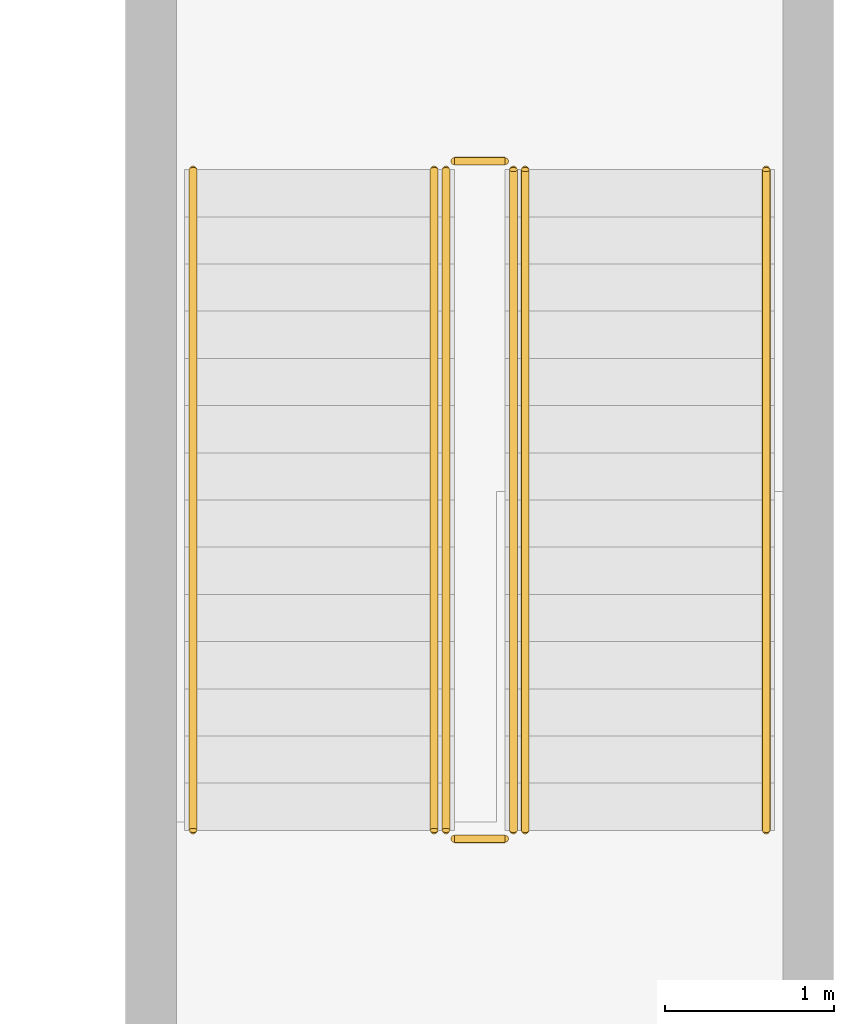
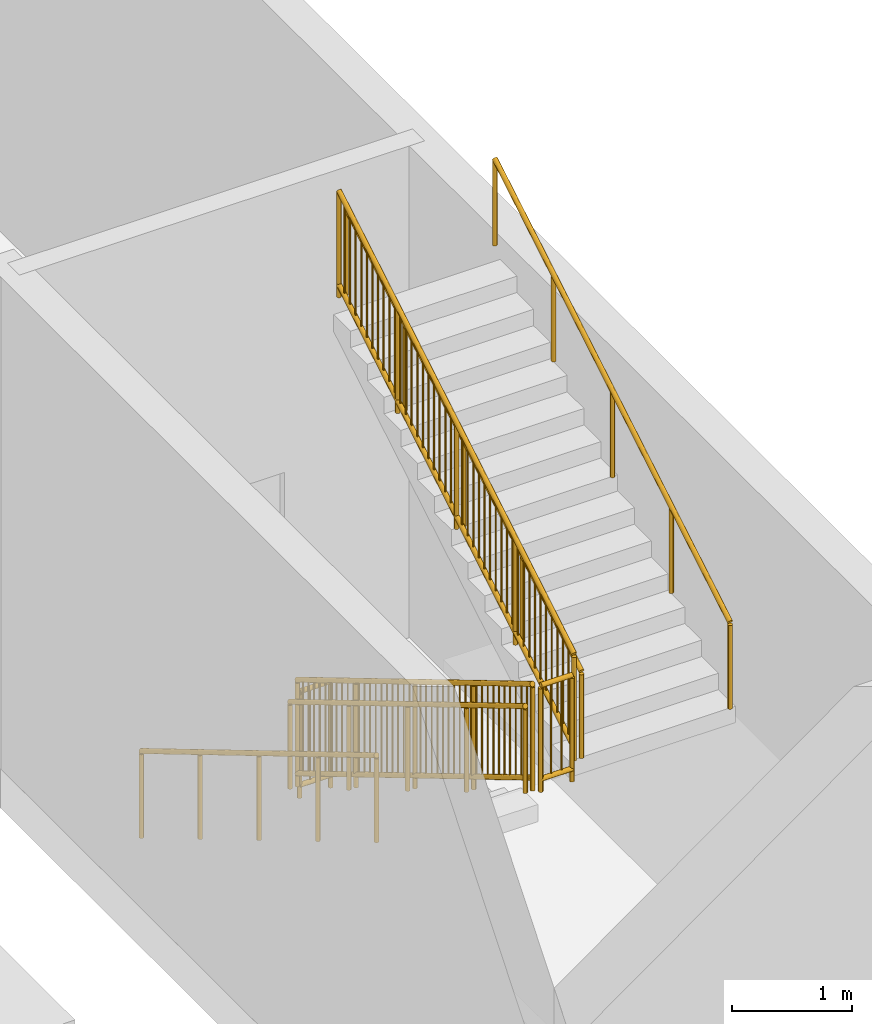
# One storey, part 23 of 25: 8 railings.
"""IFC4 building model written with IfcOpenShell, lengths in metres."""

from ifc_helpers import new_model, si_unit, direction, frame, origin, origin_2d, place, context, subcontext, project, spatial, circle, extrude, material, type_object, element, save


model = new_model("IFC4")

# Units and contexts
model_context = context("Model", 3, precision=1e-05, world=origin(), true_north=direction((0.0, 1.0)))
body_context = subcontext(model_context, "Body", "Model", "MODEL_VIEW")
ifc_project = project(units=[si_unit("LENGTHUNIT", "METRE"), si_unit("AREAUNIT", "SQUARE_METRE"), si_unit("VOLUMEUNIT", "CUBIC_METRE"), si_unit("PLANEANGLEUNIT", "RADIAN"), si_unit("MASSUNIT", "GRAM", prefix="KILO")], contexts=[model_context])

# Site, building, storey
site_placement = place(None, origin())
site = spatial("IfcSite", under=ifc_project, at=site_placement, CompositionType="ELEMENT")
building_placement = place(site_placement, origin())
building = spatial("IfcBuilding", under=site, at=building_placement, Name="Hortulan Conservatory and Botanical Research Centre", CompositionType="ELEMENT")
storey_placement = place(building_placement, frame((0.0, 0.0, -5.0)))
storey = spatial("IfcBuildingStorey", under=building, at=storey_placement, Name="B1", CompositionType="ELEMENT", Elevation=-5.0)

# Railings
ifc_material_1 = material(Name="Steel balustrade, bronze-charcoal paint", Category="steel")
railing_type_1 = type_object("IfcRailingType", Name="Stair Guard 1100", PredefinedType="GUARDRAIL", material=ifc_material_1)
railing_1_placement = place(storey_placement, frame((74.35009765625, 11.699951171875, 0.166748046875)))
element("IfcRailing", 1, at=railing_1_placement, inside=storey, type_object=railing_type_1, Name="Guard SHE B1 stair 1", PredefinedType="GUARDRAIL", context=body_context, shape_type="SweptSolid", body=[
    extrude(circle(Radius=0.02392578125, at=origin_2d()), frame((0.0, 0.0, 1.076171875), z_axis=(0.0, -0.859296244711, 0.511478214419), x_axis=(1.0, 0.0, 0.0)), (0.0, 0.0, 1.0), 4.561767578125),
    extrude(circle(Radius=0.02392578125, at=origin_2d()), frame((0.0, 0.0, 0.1240234375), z_axis=(0.0, -0.859296244711, 0.511478214419), x_axis=(1.0, 0.0, 0.0)), (0.0, 0.0, 1.0), 4.561767578125),
    extrude(circle(Radius=0.008056640625, at=origin_2d()), frame((0.0, -0.09326171875, 0.203857421875)), (0.0, 0.0, 1.0), 0.90380859375),
    extrude(circle(Radius=0.008056640625, at=origin_2d()), frame((0.0, -0.186767578125, 0.25927734375)), (0.0, 0.0, 1.0), 0.90380859375),
    extrude(circle(Radius=0.008056640625, at=origin_2d()), frame((0.0, -0.280029296875, 0.31494140625)), (0.0, 0.0, 1.0), 0.90380859375),
    extrude(circle(Radius=0.008056640625, at=origin_2d()), frame((0.0, -0.373291015625, 0.370361328125)), (0.0, 0.0, 1.0), 0.90380859375),
    extrude(circle(Radius=0.008056640625, at=origin_2d()), frame((0.0, -0.466552734375, 0.426025390625)), (0.0, 0.0, 1.0), 0.90380859375),
    extrude(circle(Radius=0.008056640625, at=origin_2d()), frame((0.0, -0.56005859375, 0.4814453125)), (0.0, 0.0, 1.0), 0.90380859375),
    extrude(circle(Radius=0.008056640625, at=origin_2d()), frame((0.0, -0.6533203125, 0.537109375)), (0.0, 0.0, 1.0), 0.90380859375),
    extrude(circle(Radius=0.008056640625, at=origin_2d()), frame((0.0, -0.74658203125, 0.592529296875)), (0.0, 0.0, 1.0), 0.90380859375),
    extrude(circle(Radius=0.008056640625, at=origin_2d()), frame((0.0, -0.840087890625, 0.648193359375)), (0.0, 0.0, 1.0), 0.90380859375),
    extrude(circle(Radius=0.008056640625, at=origin_2d()), frame((0.0, -0.933349609375, 0.70361328125)), (0.0, 0.0, 1.0), 0.90380859375),
    extrude(circle(Radius=0.008056640625, at=origin_2d()), frame((0.0, -1.026611328125, 0.75927734375)), (0.0, 0.0, 1.0), 0.90380859375),
    extrude(circle(Radius=0.008056640625, at=origin_2d()), frame((0.0, -1.119873046875, 0.81494140625)), (0.0, 0.0, 1.0), 0.90380859375),
    extrude(circle(Radius=0.008056640625, at=origin_2d()), frame((0.0, -1.21337890625, 0.870361328125)), (0.0, 0.0, 1.0), 0.90380859375),
    extrude(circle(Radius=0.008056640625, at=origin_2d()), frame((0.0, -1.306640625, 0.926025390625)), (0.0, 0.0, 1.0), 0.90380859375),
    extrude(circle(Radius=0.008056640625, at=origin_2d()), frame((0.0, -1.39990234375, 0.9814453125)), (0.0, 0.0, 1.0), 0.90380859375),
    extrude(circle(Radius=0.008056640625, at=origin_2d()), frame((0.0, -1.493408203125, 1.037109375)), (0.0, 0.0, 1.0), 0.90380859375),
    extrude(circle(Radius=0.008056640625, at=origin_2d()), frame((0.0, -1.586669921875, 1.092529296875)), (0.0, 0.0, 1.0), 0.90380859375),
    extrude(circle(Radius=0.008056640625, at=origin_2d()), frame((0.0, -1.679931640625, 1.148193359375)), (0.0, 0.0, 1.0), 0.90380859375),
    extrude(circle(Radius=0.008056640625, at=origin_2d()), frame((0.0, -1.773193359375, 1.20361328125)), (0.0, 0.0, 1.0), 0.90380859375),
    extrude(circle(Radius=0.008056640625, at=origin_2d()), frame((0.0, -1.86669921875, 1.25927734375)), (0.0, 0.0, 1.0), 0.90380859375),
    extrude(circle(Radius=0.008056640625, at=origin_2d()), frame((0.0, -1.9599609375, 1.31494140625)), (0.0, 0.0, 1.0), 0.90380859375),
    extrude(circle(Radius=0.008056640625, at=origin_2d()), frame((0.0, -2.05322265625, 1.370361328125)), (0.0, 0.0, 1.0), 0.90380859375),
    extrude(circle(Radius=0.008056640625, at=origin_2d()), frame((0.0, -2.146728515625, 1.426025390625)), (0.0, 0.0, 1.0), 0.90380859375),
    extrude(circle(Radius=0.008056640625, at=origin_2d()), frame((0.0, -2.239990234375, 1.4814453125)), (0.0, 0.0, 1.0), 0.90380859375),
    extrude(circle(Radius=0.008056640625, at=origin_2d()), frame((0.0, -2.333251953125, 1.537109375)), (0.0, 0.0, 1.0), 0.90380859375),
    extrude(circle(Radius=0.008056640625, at=origin_2d()), frame((0.0, -2.426513671875, 1.592529296875)), (0.0, 0.0, 1.0), 0.90380859375),
    extrude(circle(Radius=0.008056640625, at=origin_2d()), frame((0.0, -2.52001953125, 1.648193359375)), (0.0, 0.0, 1.0), 0.90380859375),
    extrude(circle(Radius=0.008056640625, at=origin_2d()), frame((0.0, -2.61328125, 1.70361328125)), (0.0, 0.0, 1.0), 0.90380859375),
    extrude(circle(Radius=0.008056640625, at=origin_2d()), frame((0.0, -2.70654296875, 1.75927734375)), (0.0, 0.0, 1.0), 0.90380859375),
    extrude(circle(Radius=0.008056640625, at=origin_2d()), frame((0.0, -2.800048828125, 1.814697265625)), (0.0, 0.0, 1.0), 0.90380859375),
    extrude(circle(Radius=0.008056640625, at=origin_2d()), frame((0.0, -2.893310546875, 1.870361328125)), (0.0, 0.0, 1.0), 0.90380859375),
    extrude(circle(Radius=0.008056640625, at=origin_2d()), frame((0.0, -2.986572265625, 1.926025390625)), (0.0, 0.0, 1.0), 0.90380859375),
    extrude(circle(Radius=0.008056640625, at=origin_2d()), frame((0.0, -3.079833984375, 1.9814453125)), (0.0, 0.0, 1.0), 0.90380859375),
    extrude(circle(Radius=0.008056640625, at=origin_2d()), frame((0.0, -3.17333984375, 2.037109375)), (0.0, 0.0, 1.0), 0.90380859375),
    extrude(circle(Radius=0.008056640625, at=origin_2d()), frame((0.0, -3.2666015625, 2.092529296875)), (0.0, 0.0, 1.0), 0.90380859375),
    extrude(circle(Radius=0.008056640625, at=origin_2d()), frame((0.0, -3.35986328125, 2.148193359375)), (0.0, 0.0, 1.0), 0.90380859375),
    extrude(circle(Radius=0.008056640625, at=origin_2d()), frame((0.0, -3.453369140625, 2.20361328125)), (0.0, 0.0, 1.0), 0.90380859375),
    extrude(circle(Radius=0.008056640625, at=origin_2d()), frame((0.0, -3.546630859375, 2.25927734375)), (0.0, 0.0, 1.0), 0.90380859375),
    extrude(circle(Radius=0.008056640625, at=origin_2d()), frame((0.0, -3.639892578125, 2.314697265625)), (0.0, 0.0, 1.0), 0.90380859375),
    extrude(circle(Radius=0.008056640625, at=origin_2d()), frame((0.0, -3.733154296875, 2.370361328125)), (0.0, 0.0, 1.0), 0.90380859375),
    extrude(circle(Radius=0.008056640625, at=origin_2d()), frame((0.0, -3.82666015625, 2.42578125)), (0.0, 0.0, 1.0), 0.90380859375),
    extrude(circle(Radius=0.02099609375, at=origin_2d()), origin(), (0.0, 0.0, 1.0), 1.052001953125),
    extrude(circle(Radius=0.02099609375, at=origin_2d()), frame((0.0, -0.97998046875, 0.583251953125)), (0.0, 0.0, 1.0), 1.052001953125),
    extrude(circle(Radius=0.02099609375, at=origin_2d()), frame((0.0, -1.9599609375, 1.16650390625)), (0.0, 0.0, 1.0), 1.052001953125),
    extrude(circle(Radius=0.02099609375, at=origin_2d()), frame((0.0, -2.93994140625, 1.75)), (0.0, 0.0, 1.0), 1.052001953125),
    extrude(circle(Radius=0.02099609375, at=origin_2d()), frame((0.0, -3.919921875, 2.333251953125)), (0.0, 0.0, 1.0), 1.052001953125),
])
railing_2_placement = place(storey_placement, frame((74.39990234375, 7.72998046875, 2.5)))
element("IfcRailing", 2, at=railing_2_placement, inside=storey, type_object=railing_type_1, Name="Guard SHE B1 stair 2", PredefinedType="GUARDRAIL", context=body_context, shape_type="SweptSolid", body=[
    extrude(circle(Radius=0.02392578125, at=origin_2d()), frame((0.0, 0.0, 1.076171875), z_axis=(1.0, 0.0, 0.0), x_axis=(0.0, 1.0, 0.0)), (0.0, 0.0, 1.0), 0.300048828125),
    extrude(circle(Radius=0.02392578125, at=origin_2d()), frame((0.0, 0.0, 0.1240234375), z_axis=(1.0, 0.0, 0.0), x_axis=(0.0, 1.0, 0.0)), (0.0, 0.0, 1.0), 0.300048828125),
    extrude(circle(Radius=0.008056640625, at=origin_2d()), frame((0.10009765625, 0.0, 0.148193359375)), (0.0, 0.0, 1.0), 0.90380859375),
    extrude(circle(Radius=0.008056640625, at=origin_2d()), frame((0.199951171875, 0.0, 0.148193359375)), (0.0, 0.0, 1.0), 0.90380859375),
    extrude(circle(Radius=0.02099609375, at=origin_2d()), origin(), (0.0, 0.0, 1.0), 1.052001953125),
    extrude(circle(Radius=0.02099609375, at=origin_2d()), frame((0.300048828125, 0.0, 0.0)), (0.0, 0.0, 1.0), 1.052001953125),
])
railing_3_placement = place(storey_placement, frame((74.75, 7.780029296875, 2.666748046875)))
element("IfcRailing", 3, at=railing_3_placement, inside=storey, type_object=railing_type_1, Name="Guard SHE B1 stair 3", PredefinedType="GUARDRAIL", context=body_context, shape_type="SweptSolid", body=[
    extrude(circle(Radius=0.02392578125, at=origin_2d()), frame((0.0, 0.0, 1.076171875), z_axis=(0.0, 0.859296244711, 0.511478214419), x_axis=(-1.0, 0.0, 0.0)), (0.0, 0.0, 1.0), 4.561767578125),
    extrude(circle(Radius=0.02392578125, at=origin_2d()), frame((0.0, 0.0, 0.1240234375), z_axis=(0.0, 0.859296244711, 0.511478214419), x_axis=(-1.0, 0.0, 0.0)), (0.0, 0.0, 1.0), 4.561767578125),
    extrude(circle(Radius=0.008056640625, at=origin_2d()), frame((0.0, 0.09326171875, 0.203857421875)), (0.0, 0.0, 1.0), 0.90380859375),
    extrude(circle(Radius=0.008056640625, at=origin_2d()), frame((0.0, 0.186767578125, 0.25927734375)), (0.0, 0.0, 1.0), 0.90380859375),
    extrude(circle(Radius=0.008056640625, at=origin_2d()), frame((0.0, 0.280029296875, 0.31494140625)), (0.0, 0.0, 1.0), 0.90380859375),
    extrude(circle(Radius=0.008056640625, at=origin_2d()), frame((0.0, 0.373291015625, 0.370361328125)), (0.0, 0.0, 1.0), 0.90380859375),
    extrude(circle(Radius=0.008056640625, at=origin_2d()), frame((0.0, 0.466552734375, 0.426025390625)), (0.0, 0.0, 1.0), 0.90380859375),
    extrude(circle(Radius=0.008056640625, at=origin_2d()), frame((0.0, 0.56005859375, 0.4814453125)), (0.0, 0.0, 1.0), 0.90380859375),
    extrude(circle(Radius=0.008056640625, at=origin_2d()), frame((0.0, 0.6533203125, 0.537109375)), (0.0, 0.0, 1.0), 0.90380859375),
    extrude(circle(Radius=0.008056640625, at=origin_2d()), frame((0.0, 0.74658203125, 0.592529296875)), (0.0, 0.0, 1.0), 0.90380859375),
    extrude(circle(Radius=0.008056640625, at=origin_2d()), frame((0.0, 0.840087890625, 0.648193359375)), (0.0, 0.0, 1.0), 0.90380859375),
    extrude(circle(Radius=0.008056640625, at=origin_2d()), frame((0.0, 0.933349609375, 0.70361328125)), (0.0, 0.0, 1.0), 0.90380859375),
    extrude(circle(Radius=0.008056640625, at=origin_2d()), frame((0.0, 1.026611328125, 0.75927734375)), (0.0, 0.0, 1.0), 0.90380859375),
    extrude(circle(Radius=0.008056640625, at=origin_2d()), frame((0.0, 1.119873046875, 0.81494140625)), (0.0, 0.0, 1.0), 0.90380859375),
    extrude(circle(Radius=0.008056640625, at=origin_2d()), frame((0.0, 1.21337890625, 0.870361328125)), (0.0, 0.0, 1.0), 0.90380859375),
    extrude(circle(Radius=0.008056640625, at=origin_2d()), frame((0.0, 1.306640625, 0.926025390625)), (0.0, 0.0, 1.0), 0.90380859375),
    extrude(circle(Radius=0.008056640625, at=origin_2d()), frame((0.0, 1.39990234375, 0.9814453125)), (0.0, 0.0, 1.0), 0.90380859375),
    extrude(circle(Radius=0.008056640625, at=origin_2d()), frame((0.0, 1.493408203125, 1.037109375)), (0.0, 0.0, 1.0), 0.90380859375),
    extrude(circle(Radius=0.008056640625, at=origin_2d()), frame((0.0, 1.586669921875, 1.092529296875)), (0.0, 0.0, 1.0), 0.90380859375),
    extrude(circle(Radius=0.008056640625, at=origin_2d()), frame((0.0, 1.679931640625, 1.148193359375)), (0.0, 0.0, 1.0), 0.90380859375),
    extrude(circle(Radius=0.008056640625, at=origin_2d()), frame((0.0, 1.773193359375, 1.20361328125)), (0.0, 0.0, 1.0), 0.90380859375),
    extrude(circle(Radius=0.008056640625, at=origin_2d()), frame((0.0, 1.86669921875, 1.25927734375)), (0.0, 0.0, 1.0), 0.90380859375),
    extrude(circle(Radius=0.008056640625, at=origin_2d()), frame((0.0, 1.9599609375, 1.31494140625)), (0.0, 0.0, 1.0), 0.90380859375),
    extrude(circle(Radius=0.008056640625, at=origin_2d()), frame((0.0, 2.05322265625, 1.370361328125)), (0.0, 0.0, 1.0), 0.90380859375),
    extrude(circle(Radius=0.008056640625, at=origin_2d()), frame((0.0, 2.146728515625, 1.426025390625)), (0.0, 0.0, 1.0), 0.90380859375),
    extrude(circle(Radius=0.008056640625, at=origin_2d()), frame((0.0, 2.239990234375, 1.4814453125)), (0.0, 0.0, 1.0), 0.90380859375),
    extrude(circle(Radius=0.008056640625, at=origin_2d()), frame((0.0, 2.333251953125, 1.537109375)), (0.0, 0.0, 1.0), 0.90380859375),
    extrude(circle(Radius=0.008056640625, at=origin_2d()), frame((0.0, 2.426513671875, 1.592529296875)), (0.0, 0.0, 1.0), 0.90380859375),
    extrude(circle(Radius=0.008056640625, at=origin_2d()), frame((0.0, 2.52001953125, 1.648193359375)), (0.0, 0.0, 1.0), 0.90380859375),
    extrude(circle(Radius=0.008056640625, at=origin_2d()), frame((0.0, 2.61328125, 1.70361328125)), (0.0, 0.0, 1.0), 0.90380859375),
    extrude(circle(Radius=0.008056640625, at=origin_2d()), frame((0.0, 2.70654296875, 1.75927734375)), (0.0, 0.0, 1.0), 0.90380859375),
    extrude(circle(Radius=0.008056640625, at=origin_2d()), frame((0.0, 2.800048828125, 1.814697265625)), (0.0, 0.0, 1.0), 0.90380859375),
    extrude(circle(Radius=0.008056640625, at=origin_2d()), frame((0.0, 2.893310546875, 1.870361328125)), (0.0, 0.0, 1.0), 0.90380859375),
    extrude(circle(Radius=0.008056640625, at=origin_2d()), frame((0.0, 2.986572265625, 1.926025390625)), (0.0, 0.0, 1.0), 0.90380859375),
    extrude(circle(Radius=0.008056640625, at=origin_2d()), frame((0.0, 3.079833984375, 1.9814453125)), (0.0, 0.0, 1.0), 0.90380859375),
    extrude(circle(Radius=0.008056640625, at=origin_2d()), frame((0.0, 3.17333984375, 2.037109375)), (0.0, 0.0, 1.0), 0.90380859375),
    extrude(circle(Radius=0.008056640625, at=origin_2d()), frame((0.0, 3.2666015625, 2.092529296875)), (0.0, 0.0, 1.0), 0.90380859375),
    extrude(circle(Radius=0.008056640625, at=origin_2d()), frame((0.0, 3.35986328125, 2.148193359375)), (0.0, 0.0, 1.0), 0.90380859375),
    extrude(circle(Radius=0.008056640625, at=origin_2d()), frame((0.0, 3.453369140625, 2.20361328125)), (0.0, 0.0, 1.0), 0.90380859375),
    extrude(circle(Radius=0.008056640625, at=origin_2d()), frame((0.0, 3.546630859375, 2.25927734375)), (0.0, 0.0, 1.0), 0.90380859375),
    extrude(circle(Radius=0.008056640625, at=origin_2d()), frame((0.0, 3.639892578125, 2.314697265625)), (0.0, 0.0, 1.0), 0.90380859375),
    extrude(circle(Radius=0.008056640625, at=origin_2d()), frame((0.0, 3.733154296875, 2.370361328125)), (0.0, 0.0, 1.0), 0.90380859375),
    extrude(circle(Radius=0.008056640625, at=origin_2d()), frame((0.0, 3.82666015625, 2.42578125)), (0.0, 0.0, 1.0), 0.90380859375),
    extrude(circle(Radius=0.02099609375, at=origin_2d()), origin(), (0.0, 0.0, 1.0), 1.052001953125),
    extrude(circle(Radius=0.02099609375, at=origin_2d()), frame((0.0, 0.97998046875, 0.583251953125)), (0.0, 0.0, 1.0), 1.052001953125),
    extrude(circle(Radius=0.02099609375, at=origin_2d()), frame((0.0, 1.9599609375, 1.16650390625)), (0.0, 0.0, 1.0), 1.052001953125),
    extrude(circle(Radius=0.02099609375, at=origin_2d()), frame((0.0, 2.93994140625, 1.75)), (0.0, 0.0, 1.0), 1.052001953125),
    extrude(circle(Radius=0.02099609375, at=origin_2d()), frame((0.0, 3.919921875, 2.333251953125)), (0.0, 0.0, 1.0), 1.052001953125),
])
railing_4_placement = place(storey_placement, frame((74.39990234375, 11.75, 0.0)))
element("IfcRailing", 4, at=railing_4_placement, inside=storey, type_object=railing_type_1, Name="Guard SHE B1 stair 4", PredefinedType="GUARDRAIL", context=body_context, shape_type="SweptSolid", body=[
    extrude(circle(Radius=0.02392578125, at=origin_2d()), frame((0.0, 0.0, 1.076171875), z_axis=(1.0, 0.0, 0.0), x_axis=(0.0, 1.0, 0.0)), (0.0, 0.0, 1.0), 0.300048828125),
    extrude(circle(Radius=0.02392578125, at=origin_2d()), frame((0.0, 0.0, 0.1240234375), z_axis=(1.0, 0.0, 0.0), x_axis=(0.0, 1.0, 0.0)), (0.0, 0.0, 1.0), 0.300048828125),
    extrude(circle(Radius=0.008056640625, at=origin_2d()), frame((0.10009765625, 0.0, 0.148193359375)), (0.0, 0.0, 1.0), 0.90380859375),
    extrude(circle(Radius=0.008056640625, at=origin_2d()), frame((0.199951171875, 0.0, 0.148193359375)), (0.0, 0.0, 1.0), 0.90380859375),
    extrude(circle(Radius=0.02099609375, at=origin_2d()), origin(), (0.0, 0.0, 1.0), 1.052001953125),
    extrude(circle(Radius=0.02099609375, at=origin_2d()), frame((0.300048828125, 0.0, 0.0)), (0.0, 0.0, 1.0), 1.052001953125),
])
ifc_material_2 = material(Name="Bronze handrail, polished", Category="metal")
railing_type_2 = type_object("IfcRailingType", Name="Stair Handrail 900", PredefinedType="HANDRAIL", material=ifc_material_2)
railing_5_placement = place(storey_placement, frame((72.85009765625, 11.699951171875, 0.166748046875)))
element("IfcRailing", 5, at=railing_5_placement, inside=storey, type_object=railing_type_2, Name="Handrail SHE B1 stair 1", PredefinedType="HANDRAIL", context=body_context, shape_type="SweptSolid", body=[
    extrude(circle(Radius=0.02392578125, at=origin_2d()), frame((0.0, 0.0, 0.8759765625), z_axis=(0.0, -0.859296244711, 0.511478214419), x_axis=(1.0, 0.0, 0.0)), (0.0, 0.0, 1.0), 4.561767578125),
    extrude(circle(Radius=0.02099609375, at=origin_2d()), origin(), (0.0, 0.0, 1.0), 0.851806640625),
    extrude(circle(Radius=0.02099609375, at=origin_2d()), frame((0.0, -0.97998046875, 0.583251953125)), (0.0, 0.0, 1.0), 0.851806640625),
    extrude(circle(Radius=0.02099609375, at=origin_2d()), frame((0.0, -1.9599609375, 1.16650390625)), (0.0, 0.0, 1.0), 0.851806640625),
    extrude(circle(Radius=0.02099609375, at=origin_2d()), frame((0.0, -2.93994140625, 1.75)), (0.0, 0.0, 1.0), 0.851806640625),
    extrude(circle(Radius=0.02099609375, at=origin_2d()), frame((0.0, -3.919921875, 2.333251953125)), (0.0, 0.0, 1.0), 0.851806640625),
])
railing_6_placement = place(storey_placement, frame((76.25, 7.780029296875, 2.666748046875)))
element("IfcRailing", 6, at=railing_6_placement, inside=storey, type_object=railing_type_2, Name="Handrail SHE B1 stair 2", PredefinedType="HANDRAIL", context=body_context, shape_type="SweptSolid", body=[
    extrude(circle(Radius=0.02392578125, at=origin_2d()), frame((0.0, 0.0, 0.8759765625), z_axis=(0.0, 0.859296244711, 0.511478214419), x_axis=(-1.0, 0.0, 0.0)), (0.0, 0.0, 1.0), 4.561767578125),
    extrude(circle(Radius=0.02099609375, at=origin_2d()), origin(), (0.0, 0.0, 1.0), 0.851806640625),
    extrude(circle(Radius=0.02099609375, at=origin_2d()), frame((0.0, 0.97998046875, 0.583251953125)), (0.0, 0.0, 1.0), 0.851806640625),
    extrude(circle(Radius=0.02099609375, at=origin_2d()), frame((0.0, 1.9599609375, 1.16650390625)), (0.0, 0.0, 1.0), 0.851806640625),
    extrude(circle(Radius=0.02099609375, at=origin_2d()), frame((0.0, 2.93994140625, 1.75)), (0.0, 0.0, 1.0), 0.851806640625),
    extrude(circle(Radius=0.02099609375, at=origin_2d()), frame((0.0, 3.919921875, 2.333251953125)), (0.0, 0.0, 1.0), 0.851806640625),
])
railing_7_placement = place(storey_placement, frame((74.280029296875, 11.699951171875, 0.166748046875)))
element("IfcRailing", 7, at=railing_7_placement, inside=storey, type_object=railing_type_2, Name="Handrail SHE B1 stair 3", PredefinedType="HANDRAIL", context=body_context, shape_type="SweptSolid", body=[
    extrude(circle(Radius=0.02392578125, at=origin_2d()), frame((0.0, 0.0, 0.8759765625), z_axis=(0.0, -0.859296244711, 0.511478214419), x_axis=(1.0, 0.0, 0.0)), (0.0, 0.0, 1.0), 4.561767578125),
    extrude(circle(Radius=0.02099609375, at=origin_2d()), origin(), (0.0, 0.0, 1.0), 0.851806640625),
    extrude(circle(Radius=0.02099609375, at=origin_2d()), frame((0.0, -0.97998046875, 0.583251953125)), (0.0, 0.0, 1.0), 0.851806640625),
    extrude(circle(Radius=0.02099609375, at=origin_2d()), frame((0.0, -1.9599609375, 1.16650390625)), (0.0, 0.0, 1.0), 0.851806640625),
    extrude(circle(Radius=0.02099609375, at=origin_2d()), frame((0.0, -2.93994140625, 1.75)), (0.0, 0.0, 1.0), 0.851806640625),
    extrude(circle(Radius=0.02099609375, at=origin_2d()), frame((0.0, -3.919921875, 2.333251953125)), (0.0, 0.0, 1.0), 0.851806640625),
])
railing_8_placement = place(storey_placement, frame((74.820068359375, 7.780029296875, 2.666748046875)))
element("IfcRailing", 8, at=railing_8_placement, inside=storey, type_object=railing_type_2, Name="Handrail SHE B1 stair 4", PredefinedType="HANDRAIL", context=body_context, shape_type="SweptSolid", body=[
    extrude(circle(Radius=0.02392578125, at=origin_2d()), frame((0.0, 0.0, 0.8759765625), z_axis=(0.0, 0.859296244711, 0.511478214419), x_axis=(-1.0, 0.0, 0.0)), (0.0, 0.0, 1.0), 4.561767578125),
    extrude(circle(Radius=0.02099609375, at=origin_2d()), origin(), (0.0, 0.0, 1.0), 0.851806640625),
    extrude(circle(Radius=0.02099609375, at=origin_2d()), frame((0.0, 0.97998046875, 0.583251953125)), (0.0, 0.0, 1.0), 0.851806640625),
    extrude(circle(Radius=0.02099609375, at=origin_2d()), frame((0.0, 1.9599609375, 1.16650390625)), (0.0, 0.0, 1.0), 0.851806640625),
    extrude(circle(Radius=0.02099609375, at=origin_2d()), frame((0.0, 2.93994140625, 1.75)), (0.0, 0.0, 1.0), 0.851806640625),
    extrude(circle(Radius=0.02099609375, at=origin_2d()), frame((0.0, 3.919921875, 2.333251953125)), (0.0, 0.0, 1.0), 0.851806640625),
])

save(model, "model.ifc")
